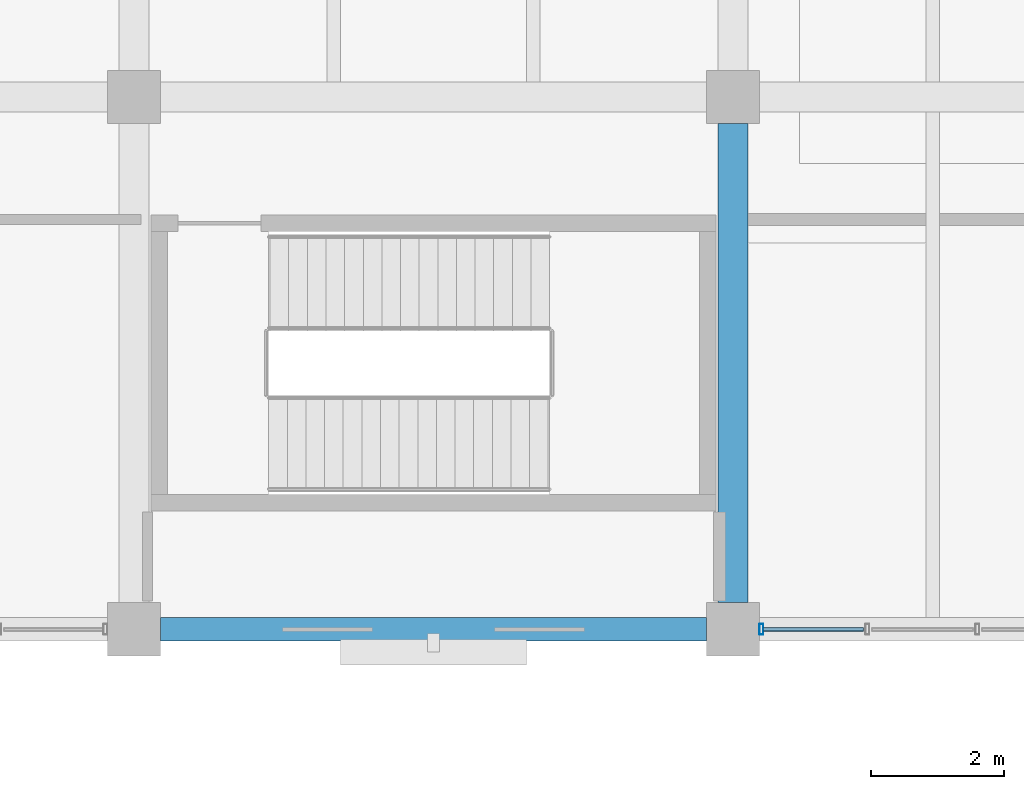
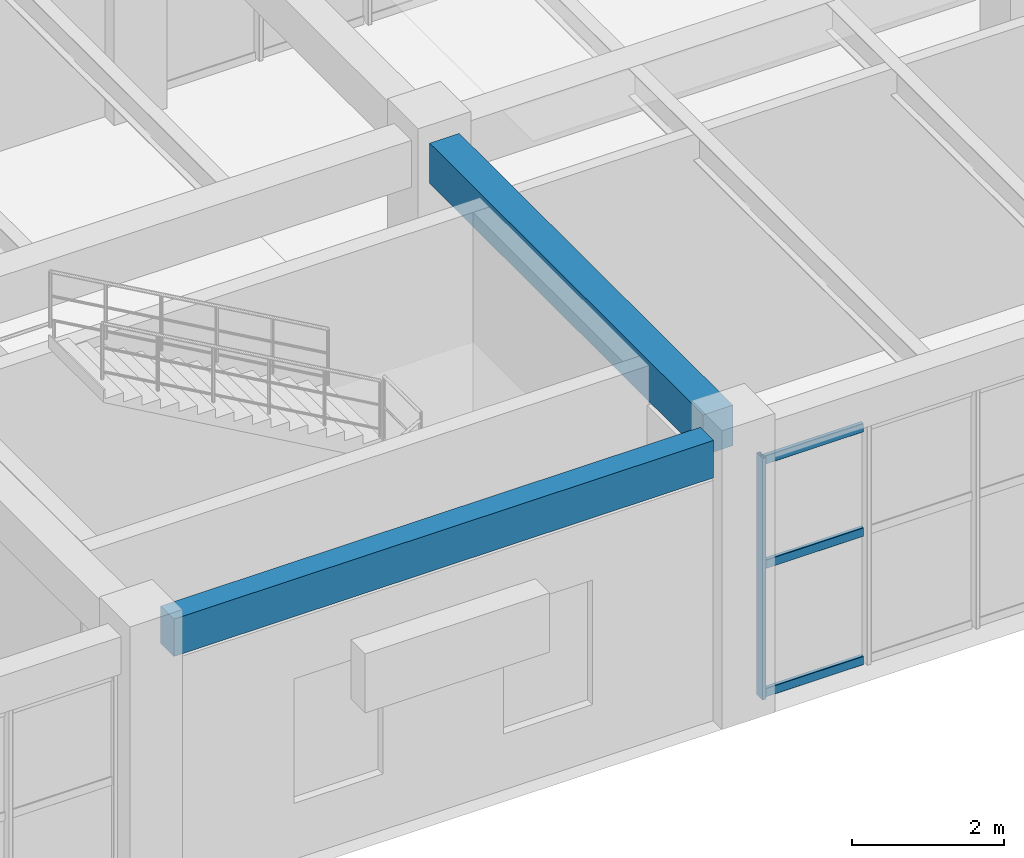
# One storey, part 47 of 178: 4 members, 2 beams, 1 element without a shape of its own.
"""IFC4 building model written with IfcOpenShell, lengths in metres."""

from ifc_helpers import new_model, si_unit, derived_unit, direction, frame, origin, origin_2d, place, context, subcontext, project, spatial, rectangle, hollow_rectangle, extrude, material, material_profile, profile_set, type_object, element, aggregate, save


model = new_model("IFC4")

# Units and contexts
model_context = context("Model", 3, precision=1e-05, world=origin(), true_north=direction((0.0, 1.0)))
body_context = subcontext(model_context, "Body", "Model", "MODEL_VIEW")
ifc_project = project(units=[si_unit("LENGTHUNIT", "METRE"), si_unit("AREAUNIT", "SQUARE_METRE"), si_unit("VOLUMEUNIT", "CUBIC_METRE"), si_unit("PLANEANGLEUNIT", "RADIAN"), si_unit("MASSUNIT", "GRAM", prefix="KILO"), derived_unit("THERMALTRANSMITTANCEUNIT", [(si_unit("MASSUNIT", "GRAM", prefix="KILO"), 1), (si_unit("TIMEUNIT", "SECOND"), -3), (si_unit("THERMODYNAMICTEMPERATUREUNIT", "KELVIN"), -1)])], contexts=[model_context])

# Site, building, storey
site_placement = place(None, origin())
site = spatial("IfcSite", under=ifc_project, at=site_placement, CompositionType="ELEMENT")
building_placement = place(site_placement, origin())
building = spatial("IfcBuilding", under=site, at=building_placement, Name="Zhenchuan Archway Interchange", CompositionType="ELEMENT")
storey_placement = place(building_placement, frame((0.0, 0.0, 5.39990234375)))
storey = spatial("IfcBuildingStorey", under=building, at=storey_placement, Name="L01", CompositionType="ELEMENT", Elevation=5.39990234375)

# Beam
ifc_material_1 = material(Name="Concrete C40", Category="concrete")
ifc_material_profile_1 = material_profile(ifc_material_1, rectangle(XDim=0.449951171875, YDim=0.64990234375, at=origin_2d()), Name="RC 450x650")
ifc_profile_set_1 = profile_set([ifc_material_profile_1], Name="Concrete C40")
beam_type_1 = type_object("IfcBeamType", Name="BM_RC_450x650", PredefinedType="BEAM", material=ifc_profile_set_1)
beam_1_placement = place(storey_placement, frame((126.0, 8.39990234375, 4.18505859375), z_axis=(0.0, 1.0, 0.0), x_axis=(-1.0, 0.0, 0.0)))
element("IfcBeam", 1, at=beam_1_placement, inside=storey, type_object=beam_type_1, Name="Beam 15:B-C (L01)", PredefinedType="BEAM", context=body_context, shape_type="SweptSolid", body=[
    extrude(rectangle(XDim=0.449951171875, YDim=0.64990234375, at=origin_2d()), origin(), (0.0, 0.0, 1.0), 7.2001953125),
])

# Curtain wall, members
ifc_material_2 = material(Name="Anodised Aluminium", Category="aluminium")
curtain_wall_type = type_object("IfcCurtainWallType", Name="CW_UNIT_4", PredefinedType="NOTDEFINED", material=ifc_material_2)
curtain_wall_placement = place(storey_placement, origin())
curtain_wall = element("IfcCurtainWall", 2, at=curtain_wall_placement, inside=storey, type_object=curtain_wall_type, Name="Unitised curtain wall CW:L01:071", PredefinedType="NOTDEFINED")
ifc_material_profile_2 = material_profile(ifc_material_2, hollow_rectangle(XDim=0.06005859375, YDim=0.159912109375, WallThickness=0.00390625, InnerFilletRadius=0.00390625, OuterFilletRadius=0.008056640625, at=origin_2d()), Name="ALU 160x60x4")
ifc_profile_set_2 = profile_set([ifc_material_profile_2], Name="Anodised Aluminium")
member_type_1 = type_object("IfcMemberType", Name="CW_MUL_150", PredefinedType="MULLION", material=ifc_profile_set_2)
member_1_placement = place(storey_placement, frame((126.427978515625, 8.0, 0.0), z_axis=(0.0, 0.0, 1.0), x_axis=(1.0, 0.0, 0.0)))
member_1 = element("IfcMember", 3, at=member_1_placement, type_object=member_type_1, Name="CW:L01:071 mullion 5", PredefinedType="MULLION", context=body_context, shape_type="SweptSolid", body=[
    extrude(hollow_rectangle(XDim=0.06005859375, YDim=0.159912109375, WallThickness=0.00390625, InnerFilletRadius=0.00390625, OuterFilletRadius=0.008056640625, at=origin_2d()), origin(), (0.0, 0.0, 1.0), 3.880126953125),
])
ifc_material_profile_3 = material_profile(ifc_material_2, hollow_rectangle(XDim=0.06005859375, YDim=0.139892578125, WallThickness=0.00341796875, InnerFilletRadius=0.00341796875, OuterFilletRadius=0.007080078125, at=origin_2d()), Name="ALU 140x60x3.5")
ifc_profile_set_3 = profile_set([ifc_material_profile_3], Name="Anodised Aluminium")
member_type_2 = type_object("IfcMemberType", Name="CW_TRN_140", PredefinedType="USERDEFINED", material=ifc_profile_set_3)
member_2_placement = place(storey_placement, frame((127.960693359375, 8.0, 0.06005859375), z_axis=(-1.0, 0.0, 0.0), x_axis=(0.0, -1.0, 0.0)))
member_2 = element("IfcMember", 4, at=member_2_placement, type_object=member_type_2, Name="CW:L01:071 transom 4-1", ObjectType="TRANSOM", PredefinedType="USERDEFINED", context=body_context, shape_type="SweptSolid", body=[
    extrude(hollow_rectangle(XDim=0.06005859375, YDim=0.139892578125, WallThickness=0.00341796875, InnerFilletRadius=0.00341796875, OuterFilletRadius=0.007080078125, at=origin_2d()), origin(), (0.0, 0.0, 1.0), 1.5126953125),
])
member_3_placement = place(storey_placement, frame((127.960693359375, 8.0, 2.123046875), z_axis=(-1.0, 0.0, 0.0), x_axis=(0.0, -1.0, 0.0)))
member_3 = element("IfcMember", 5, at=member_3_placement, type_object=member_type_2, Name="CW:L01:071 transom 4-2", ObjectType="TRANSOM", PredefinedType="USERDEFINED", context=body_context, shape_type="SweptSolid", body=[
    extrude(hollow_rectangle(XDim=0.06005859375, YDim=0.139892578125, WallThickness=0.00341796875, InnerFilletRadius=0.00341796875, OuterFilletRadius=0.007080078125, at=origin_2d()), origin(), (0.0, 0.0, 1.0), 1.5126953125),
])
member_4_placement = place(storey_placement, frame((127.960693359375, 8.0, 3.800048828125), z_axis=(-1.0, 0.0, 0.0), x_axis=(0.0, -1.0, 0.0)))
member_4 = element("IfcMember", 6, at=member_4_placement, type_object=member_type_2, Name="CW:L01:071 transom 4-3", ObjectType="TRANSOM", PredefinedType="USERDEFINED", context=body_context, shape_type="SweptSolid", body=[
    extrude(hollow_rectangle(XDim=0.06005859375, YDim=0.139892578125, WallThickness=0.00341796875, InnerFilletRadius=0.00341796875, OuterFilletRadius=0.007080078125, at=origin_2d()), origin(), (0.0, 0.0, 1.0), 1.5126953125),
])
aggregate(curtain_wall, [member_1, member_2, member_3, member_4])

# Beam
ifc_material_profile_4 = material_profile(ifc_material_1, rectangle(XDim=0.35009765625, YDim=0.60009765625, at=origin_2d()), Name="RC 350x600")
ifc_profile_set_4 = profile_set([ifc_material_profile_4], Name="Concrete C40")
beam_type_2 = type_object("IfcBeamType", Name="SP_RC_350x600", PredefinedType="SPANDREL", material=ifc_profile_set_4)
beam_2_placement = place(storey_placement, frame((117.39990234375, 8.0, 4.210205078125), z_axis=(1.0, 0.0, 0.0), x_axis=(0.0, 1.0, 0.0)))
element("IfcBeam", 7, at=beam_2_placement, inside=storey, type_object=beam_type_2, Name="Beam B:14-15 (L01)", PredefinedType="SPANDREL", context=body_context, shape_type="SweptSolid", body=[
    extrude(rectangle(XDim=0.35009765625, YDim=0.60009765625, at=origin_2d()), origin(), (0.0, 0.0, 1.0), 8.2001953125),
])

save(model, "model.ifc")
